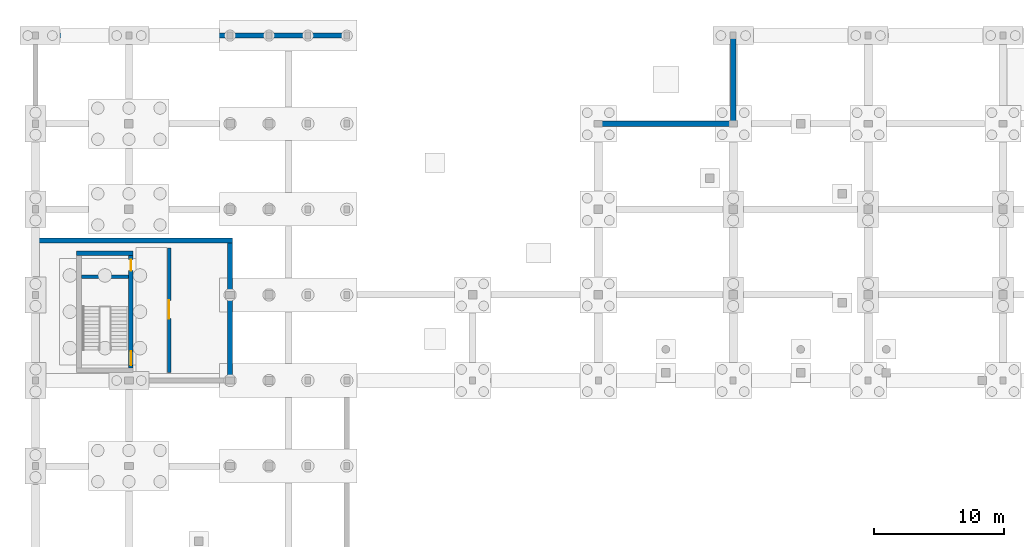
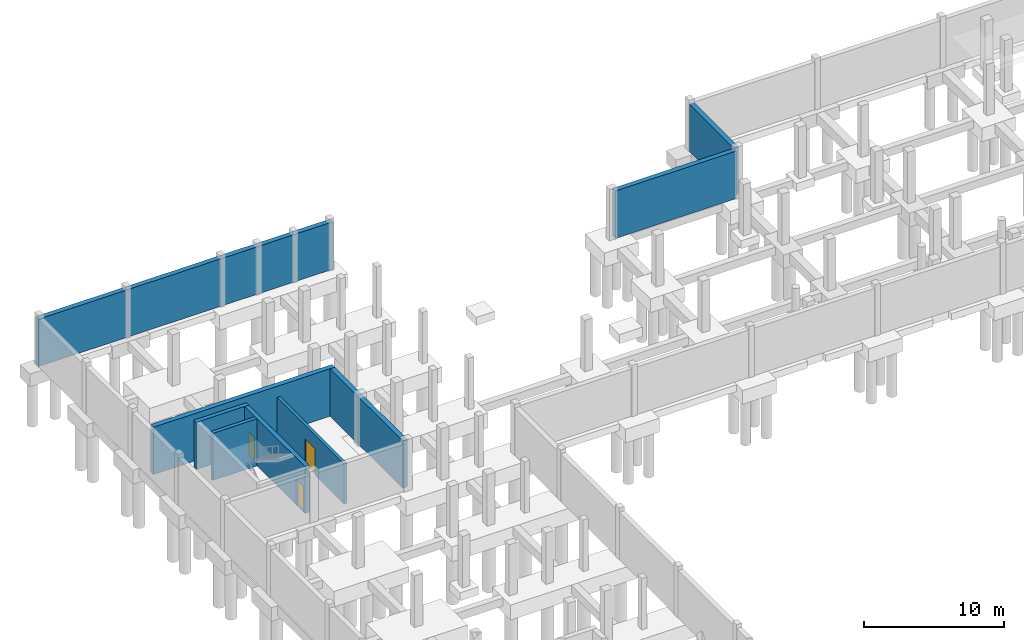
# One storey, part 14 of 21: 9 walls, 3 doors, 3 openings.
"""IFC4 building model written with IfcOpenShell, lengths in metres."""

from ifc_helpers import new_model, si_unit, derived_unit, direction, frame, frame_2d, origin, origin_with_axes, place, context, subcontext, project, spatial, rectangle, extrude, material, layer, layer_set, type_object, element, fill, save


model = new_model("IFC4")

# Units and contexts
model_context = context("Model", 3, precision=1e-05, world=origin(), true_north=direction((0.0, 1.0)))
body_context = subcontext(model_context, "Body", "Model", "MODEL_VIEW")
ifc_project = project(units=[si_unit("LENGTHUNIT", "METRE"), si_unit("AREAUNIT", "SQUARE_METRE"), si_unit("VOLUMEUNIT", "CUBIC_METRE"), si_unit("PLANEANGLEUNIT", "RADIAN"), si_unit("MASSUNIT", "GRAM", prefix="KILO"), derived_unit("THERMALTRANSMITTANCEUNIT", [(si_unit("POWERUNIT", "WATT"), 1), (si_unit("LENGTHUNIT", "METRE"), -2), (si_unit("THERMODYNAMICTEMPERATUREUNIT", "KELVIN"), -1)])], contexts=[model_context])

# Site, building, storey
site_placement = place(None, origin())
site = spatial("IfcSite", under=ifc_project, at=site_placement, CompositionType="ELEMENT")
building_placement = place(site_placement, origin())
building = spatial("IfcBuilding", under=site, at=building_placement, Name="Braskholm Square Health Centre", CompositionType="ELEMENT")
storey_placement = place(building_placement, frame((0.0, 0.0, -4.5)))
storey = spatial("IfcBuildingStorey", under=building, at=storey_placement, Name="B01", CompositionType="ELEMENT", Elevation=-4.5)

# Walls
ifc_material_1 = material(Name="Concrete C35/45 (f'c = 35 MPa)", Category="concrete")
ifc_layer_1 = layer(ifc_material_1, 0.39990234375)
ifc_layer_set_1 = layer_set([ifc_layer_1], Name="Concrete C35/45 (f'c = 35 MPa)")
wall_type_1 = type_object("IfcWallType", Name="BasementRetainingWall400", PredefinedType="SHEAR", material=ifc_layer_set_1)
wall_1_placement = place(storey_placement, frame((28.39990234375, 113.800048828125, 0.0), z_axis=(0.0, 0.0, 1.0), x_axis=(-1.0, 0.0, 0.0)))
element("IfcWall", 1, at=wall_1_placement, inside=storey, type_object=wall_type_1, Name="Substructure perimeter retaining wall BW-PERIM-NW", PredefinedType="SHEAR", context=body_context, shape_type="SweptSolid", body=[
    extrude(rectangle(XDim=24.39990234375, YDim=0.39990234375, at=frame_2d((12.199951171875, 0.0))), origin(), (0.0, 0.0, 1.0), 4.14990234375),
])
wall_2_placement = place(storey_placement, frame((58.0, 113.60009765625, 0.0), z_axis=(0.0, 0.0, 1.0), x_axis=(0.0, -1.0, 0.0)))
element("IfcWall", 2, at=wall_2_placement, inside=storey, type_object=wall_type_1, Name="Substructure perimeter retaining wall BW-PERIM-NV3W", PredefinedType="SHEAR", context=body_context, shape_type="SweptSolid", body=[
    extrude(rectangle(XDim=6.400146484375, YDim=0.39990234375, at=frame_2d((3.2001953125, 0.0))), origin(), (0.0, 0.0, 1.0), 4.14990234375),
])
wall_3_placement = place(storey_placement, frame((57.800048828125, 107.0, 0.0), z_axis=(0.0, 0.0, 1.0), x_axis=(-1.0, 0.0, 0.0)))
element("IfcWall", 3, at=wall_3_placement, inside=storey, type_object=wall_type_1, Name="Substructure perimeter retaining wall BW-PERIM-NHW", PredefinedType="SHEAR", context=body_context, shape_type="SweptSolid", body=[
    extrude(rectangle(XDim=10.0, YDim=0.39990234375, at=frame_2d((5.0, 0.0))), origin(), (0.0, 0.0, 1.0), 4.14990234375),
])
wall_4_placement = place(storey_placement, frame((19.199951171875, 87.39990234375, 0.0), z_axis=(0.0, 0.0, 1.0), x_axis=(0.0, 1.0, 0.0)))
element("IfcWall", 4, at=wall_4_placement, inside=storey, type_object=wall_type_1, Name="Substructure perimeter retaining wall BW-B01NW-E", PredefinedType="SHEAR", context=body_context, shape_type="SweptSolid", body=[
    extrude(rectangle(XDim=10.400146484375, YDim=0.39990234375, at=frame_2d((5.2001953125, 0.0))), origin(), (0.0, 0.0, 1.0), 4.14990234375),
])
wall_5_placement = place(storey_placement, frame((19.39990234375, 98.0, 0.0), z_axis=(0.0, 0.0, 1.0), x_axis=(-1.0, 0.0, 0.0)))
element("IfcWall", 5, at=wall_5_placement, inside=storey, type_object=wall_type_1, Name="Substructure perimeter retaining wall BW-B01NW-N", PredefinedType="SHEAR", context=body_context, shape_type="SweptSolid", body=[
    extrude(rectangle(XDim=15.0, YDim=0.39990234375, at=frame_2d((7.5, 0.0))), origin(), (0.0, 0.0, 1.0), 4.14990234375),
])

# Wall, opening, door
ifc_layer_2 = layer(ifc_material_1, 0.25)
ifc_layer_set_2 = layer_set([ifc_layer_2], Name="Concrete C35/45 (f'c = 35 MPa)")
wall_type_2 = type_object("IfcWallType", Name="FireBarrierWall250", PredefinedType="SOLIDWALL", material=ifc_layer_set_2)
wall_6_placement = place(storey_placement, frame((14.5, 87.800048828125, 0.0), z_axis=(0.0, 0.0, 1.0), x_axis=(0.0, 1.0, 0.0)))
wall_6 = element("IfcWall", 6, at=wall_6_placement, inside=storey, type_object=wall_type_2, Name="Interior partition PWALL-B01-0012", PredefinedType="SOLIDWALL", context=body_context, shape_type="SweptSolid", body=[
    extrude(rectangle(XDim=9.599853515625, YDim=0.25, at=frame_2d((4.7998046875, 0.0))), origin(), (0.0, 0.0, 1.0), 3.514892578125),
])
opening_1_placement = place(wall_6_placement, frame((4.175048828125, 0.0, 0.0)))
opening_1 = element("IfcOpeningElement", 7, at=opening_1_placement, cuts=wall_6, Name="Opening D-23", PredefinedType="OPENING", context=body_context, shape_type="SweptSolid", body=[
    extrude(rectangle(XDim=1.39990234375, YDim=2.35009765625, at=frame_2d((0.699951171875, 1.175048828125))), frame((0.0, 0.135009765625, 0.0), z_axis=(0.0, -1.0, 0.0), x_axis=(1.0, 0.0, 0.0)), (0.0, 0.0, 1.0), 0.27001953125),
])
ifc_material_2 = material(Name="Architectural bronze anodised aluminium", Category="aluminium")
door_type_1 = type_object("IfcDoorType", Name="DoorPlantFire1400x2350", OperationType="DOUBLE_DOOR_SINGLE_SWING", PredefinedType="DOOR", material=ifc_material_2)
door_1_placement = place(opening_1_placement, origin_with_axes())
door_1 = element("IfcDoor", 8, at=door_1_placement, inside=storey, type_object=door_type_1, Name="Interior door 0007 B01", OperationType="DOUBLE_DOOR_SINGLE_SWING", OverallHeight=2.35009765625, OverallWidth=1.39990234375, PredefinedType="DOOR", context=body_context, shape_type="SweptSolid", body=[
    extrude(rectangle(XDim=1.39990234375, YDim=2.35009765625, at=frame_2d((0.699951171875, 1.175048828125))), frame((0.0, 0.02490234375, 0.0), z_axis=(0.0, -1.0, 0.0), x_axis=(1.0, 0.0, 0.0)), (0.0, 0.0, 1.0), 0.050048828125),
])
fill(opening_1, door_1)

# Walls
ifc_material_3 = material(Name="Concrete C40/50 (f'c = 40 MPa)", Category="concrete")
ifc_layer_3 = layer(ifc_material_3, 0.300048828125)
ifc_layer_set_3 = layer_set([ifc_layer_3], Name="Concrete C40/50 (f'c = 40 MPa)")
wall_type_3 = type_object("IfcWallType", Name="ShearCoreWall300", PredefinedType="SHEAR", material=ifc_layer_set_3)
wall_7_placement = place(storey_placement, frame((7.72509765625, 95.199951171875, 0.0), z_axis=(0.0, 0.0, 1.0), x_axis=(1.0, 0.0, 0.0)))
element("IfcWall", 9, at=wall_7_placement, inside=storey, type_object=wall_type_3, Name="Core K3 internal shear divider B01", PredefinedType="SHEAR", context=body_context, shape_type="SweptSolid", body=[
    extrude(rectangle(XDim=3.64990234375, YDim=0.300048828125, at=frame_2d((1.824951171875, 0.0))), origin(), (0.0, 0.0, 1.0), 4.1201171875),
])
ifc_layer_4 = layer(ifc_material_3, 0.35009765625)
ifc_layer_set_4 = layer_set([ifc_layer_4], Name="Concrete C40/50 (f'c = 40 MPa)")
wall_type_4 = type_object("IfcWallType", Name="ShearCoreWall350", PredefinedType="SHEAR", material=ifc_layer_set_4)
wall_8_placement = place(storey_placement, frame((11.72509765625, 97.0, 0.0), z_axis=(0.0, 0.0, 1.0), x_axis=(-1.0, 0.0, 0.0)))
element("IfcWall", 10, at=wall_8_placement, inside=storey, type_object=wall_type_4, Name="CWALL-K3-B01 north wall", PredefinedType="SHEAR", context=body_context, shape_type="SweptSolid", body=[
    extrude(rectangle(XDim=4.35009765625, YDim=0.35009765625, at=frame_2d((2.175048828125, 0.0))), origin(), (0.0, 0.0, 1.0), 4.1201171875),
])

# Wall, openings, doors
wall_9_placement = place(storey_placement, frame((11.550048828125, 88.175048828125, 0.0), z_axis=(0.0, 0.0, 1.0), x_axis=(0.0, 1.0, 0.0)))
wall_9 = element("IfcWall", 11, at=wall_9_placement, inside=storey, type_object=wall_type_4, Name="CWALL-K3-B01 east wall", PredefinedType="SHEAR", context=body_context, shape_type="SweptSolid", body=[
    extrude(rectangle(XDim=8.64990234375, YDim=0.35009765625, at=frame_2d((4.324951171875, 0.0))), origin(), (0.0, 0.0, 1.0), 4.1201171875),
])
opening_2_placement = place(wall_9_placement, frame((0.199951171875, 0.0, 0.0)))
opening_2 = element("IfcOpeningElement", 12, at=opening_2_placement, cuts=wall_9, Name="Opening D-22", PredefinedType="OPENING", context=body_context, shape_type="SweptSolid", body=[
    extrude(rectangle(XDim=1.10009765625, YDim=2.199951171875, at=frame_2d((0.550048828125, 1.10009765625))), frame((0.0, 0.18505859375, 0.0), z_axis=(0.0, -1.0, 0.0), x_axis=(1.0, 0.0, 0.0)), (0.0, 0.0, 1.0), 0.3701171875),
])
opening_3_placement = place(wall_9_placement, frame((7.4951171875, 0.0, 0.0)))
opening_3 = element("IfcOpeningElement", 13, at=opening_3_placement, cuts=wall_9, Name="Opening D-24", PredefinedType="OPENING", context=body_context, shape_type="SweptSolid", body=[
    extrude(rectangle(XDim=0.860107421875, YDim=2.050048828125, at=frame_2d((0.43017578125, 1.02490234375))), frame((0.0, 0.18505859375, 0.0), z_axis=(0.0, -1.0, 0.0), x_axis=(1.0, 0.0, 0.0)), (0.0, 0.0, 1.0), 0.3701171875),
])
door_type_2 = type_object("IfcDoorType", Name="DoorRiserShaft860x2050", OperationType="NOTDEFINED", PredefinedType="DOOR", material=ifc_material_2)
door_2_placement = place(opening_3_placement, origin_with_axes())
door_2 = element("IfcDoor", 14, at=door_2_placement, inside=storey, type_object=door_type_2, Name="Core K3 service riser fire door B01", OperationType="SINGLE_SWING_RIGHT", OverallHeight=2.050048828125, OverallWidth=0.860107421875, PredefinedType="DOOR", context=body_context, shape_type="SweptSolid", body=[
    extrude(rectangle(XDim=0.860107421875, YDim=2.050048828125, at=frame_2d((0.43017578125, 1.02490234375))), frame((0.0, 0.02490234375, 0.0), z_axis=(0.0, -1.0, 0.0), x_axis=(1.0, 0.0, 0.0)), (0.0, 0.0, 1.0), 0.050048828125),
])
fill(opening_3, door_2)
door_type_3 = type_object("IfcDoorType", Name="DoorStairEnclosure1100x2200", OperationType="NOTDEFINED", PredefinedType="DOOR", material=ifc_material_2)
door_3_placement = place(opening_2_placement, origin_with_axes())
door_3 = element("IfcDoor", 15, at=door_3_placement, inside=storey, type_object=door_type_3, Name="Stair ST-03 door B01", OperationType="SINGLE_SWING_RIGHT", OverallHeight=2.199951171875, OverallWidth=1.10009765625, PredefinedType="DOOR", context=body_context, shape_type="SweptSolid", body=[
    extrude(rectangle(XDim=1.10009765625, YDim=2.199951171875, at=frame_2d((0.550048828125, 1.10009765625))), frame((0.0, 0.02490234375, 0.0), z_axis=(0.0, -1.0, 0.0), x_axis=(1.0, 0.0, 0.0)), (0.0, 0.0, 1.0), 0.050048828125),
])
fill(opening_2, door_3)

save(model, "model.ifc")
